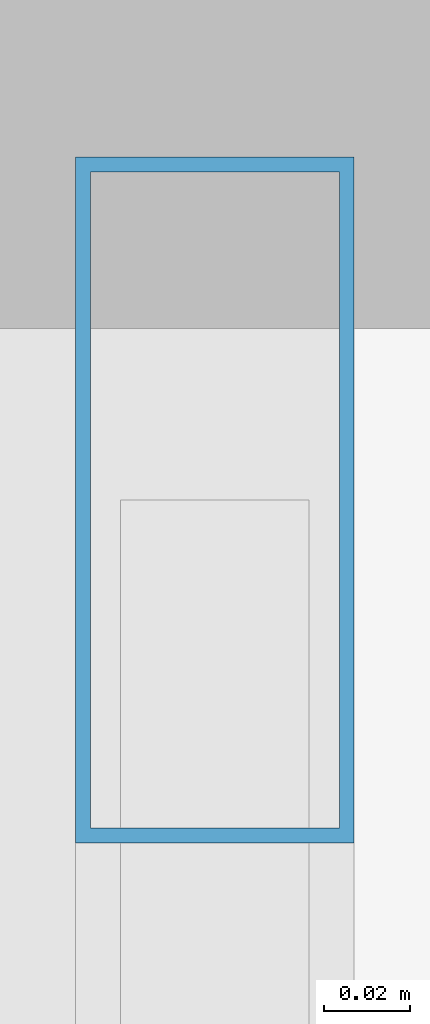
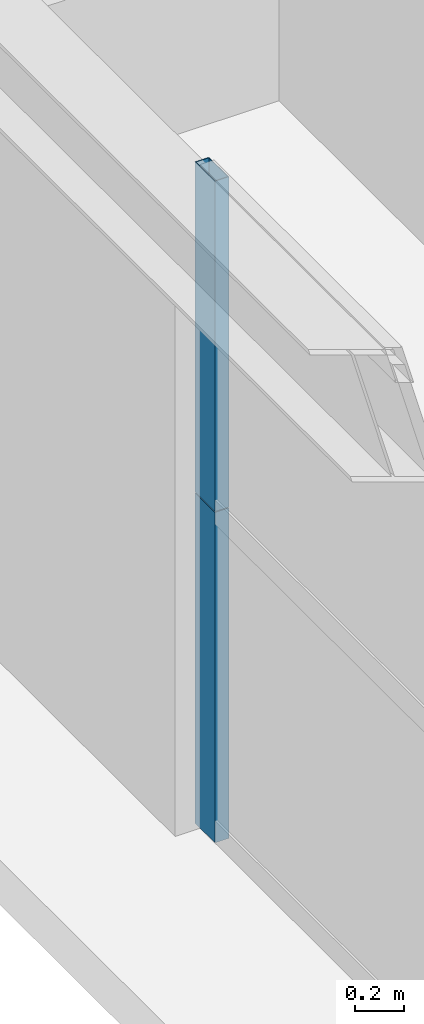
# One storey, part 20 of 35: 2 members, 1 element without a shape of its own.
"""IFC4 building model written with IfcOpenShell, lengths in metres."""

from ifc_helpers import new_model, si_unit, direction, frame, origin, origin_2d, place, context, subcontext, project, spatial, hollow_rectangle, extrude, source, transform, mapped, material, layer, layer_set, material_profile, profile_set, type_object, element, aggregate, save


model = new_model("IFC4")

# Units and contexts
model_context = context("Model", 3, precision=1e-05, world=origin(), true_north=direction((0.0, 1.0)))
body_context = subcontext(model_context, "Body", "Model", "MODEL_VIEW")
ifc_project = project(units=[si_unit("LENGTHUNIT", "METRE"), si_unit("AREAUNIT", "SQUARE_METRE"), si_unit("VOLUMEUNIT", "CUBIC_METRE"), si_unit("PLANEANGLEUNIT", "RADIAN"), si_unit("MASSUNIT", "GRAM", prefix="KILO"), si_unit("THERMODYNAMICTEMPERATUREUNIT", "KELVIN"), si_unit("POWERUNIT", "WATT")], contexts=[model_context])

# Site, building, storey
site_placement = place(None, origin())
site = spatial("IfcSite", under=ifc_project, at=site_placement, CompositionType="ELEMENT")
building_placement = place(site_placement, origin())
building = spatial("IfcBuilding", under=site, at=building_placement, Name="Yuzanri Waterfront Tower", CompositionType="ELEMENT")
storey_placement = place(building_placement, frame((0.0, 0.0, 248.60009765625)))
storey = spatial("IfcBuildingStorey", under=building, at=storey_placement, Name="L66", CompositionType="ELEMENT", Elevation=248.60009765625)

# Curtain wall, members
ifc_material_1 = material(Name="Anodized Architectural Bronze", Category="metal")
ifc_layer = layer(ifc_material_1, 0.159912109375)
ifc_layer_set = layer_set([ifc_layer], Name="Anodized Architectural Bronze")
curtain_wall_type = type_object("IfcCurtainWallType", Name="Anodized Bronze Mid-Rise Residential Acoustic Unitized Curtain Wall 7200", PredefinedType="NOTDEFINED", material=ifc_layer_set)
curtain_wall_placement = place(storey_placement, origin())
curtain_wall = element("IfcCurtainWall", 1, at=curtain_wall_placement, inside=storey, type_object=curtain_wall_type, Name="L66 Curtain Wall CW-L66-WR", PredefinedType="NOTDEFINED")
ifc_material_2 = material(Name="Anodized Architectural Bronze", Category="metal")
ifc_material_profile = material_profile(ifc_material_2, hollow_rectangle(XDim=0.06494140625, YDim=0.159912109375, WallThickness=0.00341796875, at=origin_2d()), Name="CWM 65x160")
ifc_profile_set = profile_set([ifc_material_profile], Name="Anodized Architectural Bronze")
member_type = type_object("IfcMemberType", Name="Anodized Bronze Upper-Zone Curtain-Wall Mullion 65x160", PredefinedType="MULLION", material=ifc_profile_set)
shared_shape = source(origin(), body_context, "Body", "SweptSolid", [
    extrude(hollow_rectangle(XDim=0.06494140625, YDim=0.159912109375, WallThickness=0.00341796875, at=origin_2d()), origin(), (0.0, 0.0, 1.0), 1.637939453125),
])
member_1_placement = place(storey_placement, frame((16.550048828125, 39.010009765625, 0.0), z_axis=(0.0, 0.0, 1.0), x_axis=(1.0, 0.0, 0.0)))
member_1 = element("IfcMember", 2, at=member_1_placement, type_object=member_type, Name="CW-L66-WR Lower Mullion 02", PredefinedType="MULLION", context=body_context, shape_type="MappedRepresentation", body=[
    mapped(shared_shape, transform((0.0, 0.0, 0.0), scale=1.0)),
])
member_2_placement = place(storey_placement, frame((16.550048828125, 39.010009765625, 1.641845703125), z_axis=(0.0, 0.0, 1.0), x_axis=(1.0, 0.0, 0.0)))
member_2 = element("IfcMember", 3, at=member_2_placement, type_object=member_type, Name="CW-L66-WR Upper Mullion 02", PredefinedType="MULLION", context=body_context, shape_type="MappedRepresentation", body=[
    mapped(shared_shape, transform((0.0, 0.0, 0.0), scale=1.0)),
])
aggregate(curtain_wall, [member_1, member_2])

save(model, "model.ifc")
